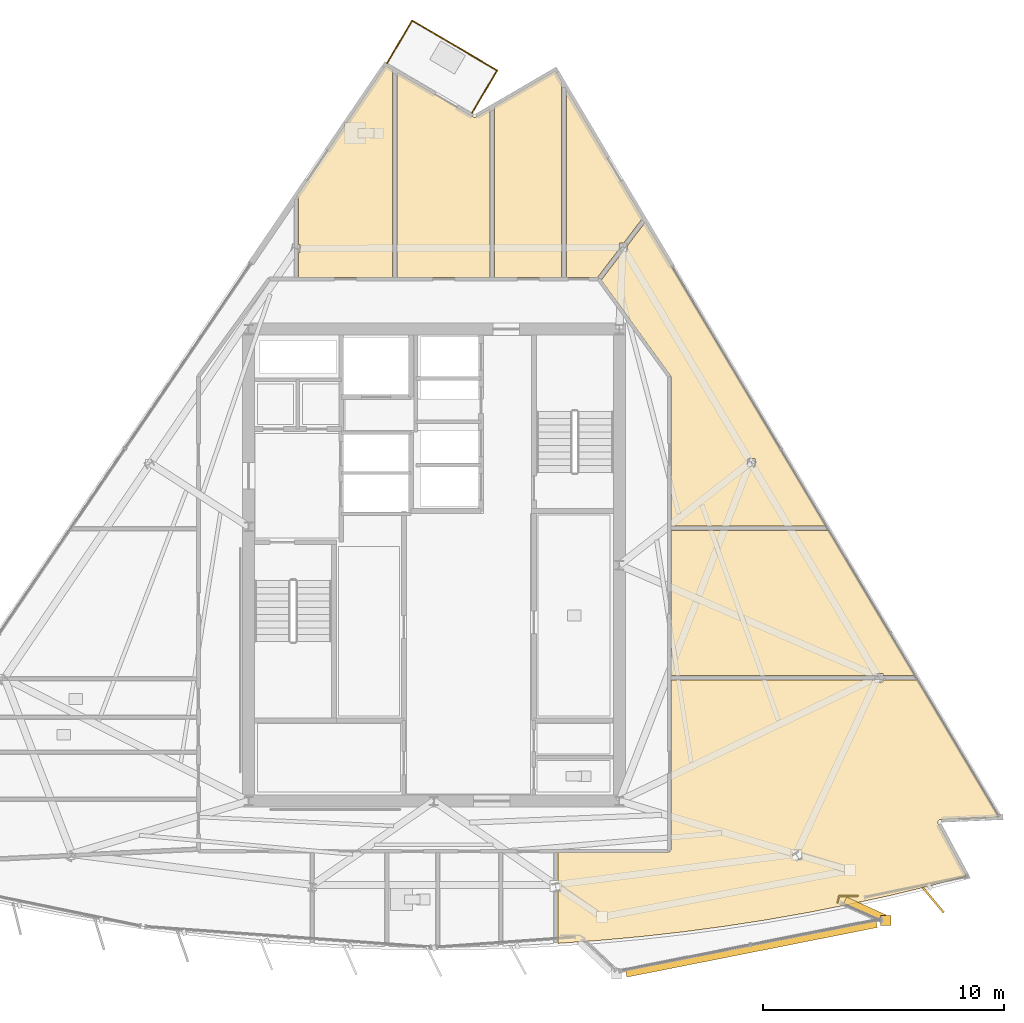
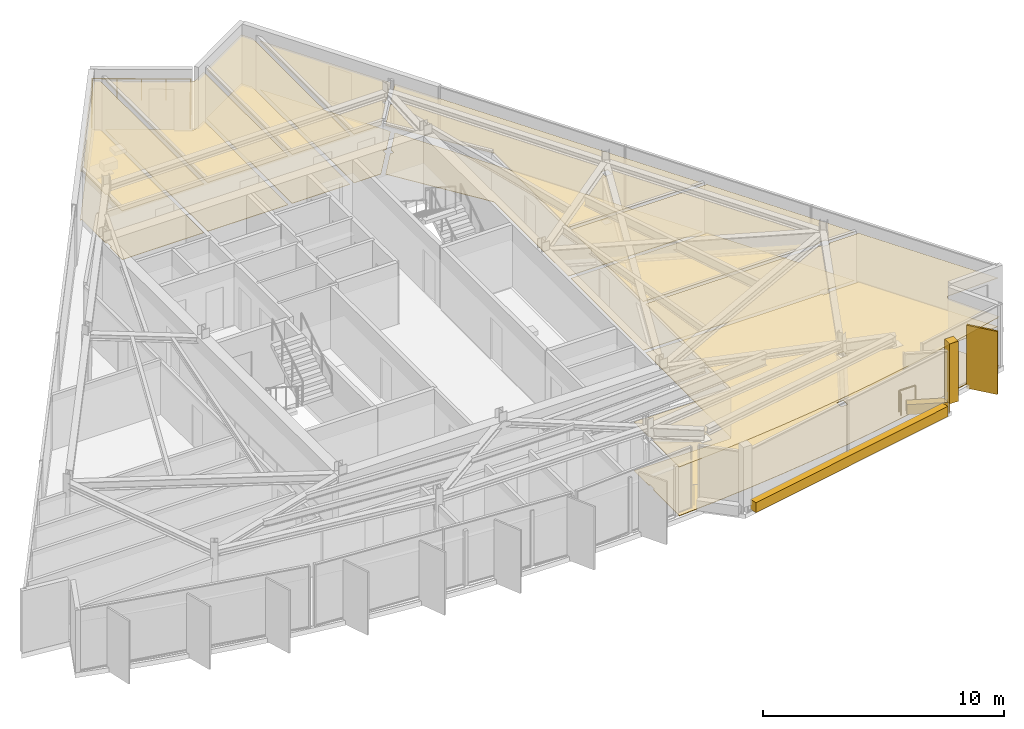
# One storey, part 12 of 13: 17 coverings, 4 railings, 1 shading device.
"""IFC4 building model written with IfcOpenShell, lengths in metres."""

import ifcopenshell
import ifcopenshell.guid

model = None  # the IFC model being written
_history = None  # IfcOwnerHistory: only IFC2X3 demands one
_inside = {}  # id of a spatial element -> (the spatial element, [elements in it])
_under = {}  # id of a project, library or spatial element -> (it, [spatial elements below it])
_declared = {}  # id of a project -> (the project, [libraries it declares])
_typed = {}  # id of a type object -> (the type object, [elements of that type])
_made_of = {}  # id of a material, layer set ... -> (it, [elements and type objects made of it])


def new_model(schema):
    """Start an empty IFC model of exactly this schema.

    Asked for "IFC4X3", IfcOpenShell would pick the latest addendum, in which some entities
    have other attributes; the version numbers below select the first issue.
    IFC2X3 requires an IfcOwnerHistory on every rooted entity: one is made here for all.
    """
    global model, _history
    if schema == "IFC4X3":
        model = ifcopenshell.file(schema_version=(4, 3, 0, 0))
    else:
        model = ifcopenshell.file(schema=schema)
    _inside.clear()
    _under.clear()
    _declared.clear()
    _typed.clear()
    _made_of.clear()
    _history = None
    if model.schema == "IFC2X3":
        org = make("IfcOrganization", Name="unknown")
        user = make(
            "IfcPersonAndOrganization",
            ThePerson=make("IfcPerson", FamilyName="unknown"),
            TheOrganization=org,
        )
        app = make(
            "IfcApplication",
            ApplicationDeveloper=org,
            Version="unknown",
            ApplicationFullName="unknown",
            ApplicationIdentifier="unknown",
        )
        _history = make(
            "IfcOwnerHistory",
            OwningUser=user,
            OwningApplication=app,
            ChangeAction="ADDED",
            CreationDate=0,
        )
    return model


def make(cls, **values):
    """One entity of the class cls with the attributes given. An attribute that is None is left unset."""
    return model.create_entity(
        cls, **{name: value for name, value in values.items() if value is not None}
    )


def rooted(cls, **values):
    """An entity with a GlobalId (a new one), such as an element, a storey or a relation."""
    return make(cls, GlobalId=ifcopenshell.guid.new(), OwnerHistory=_history, **values)


def si_unit(unit_type, name, prefix=None):
    """IfcSIUnit, for example si_unit("LENGTHUNIT", "METRE", prefix="MILLI")."""
    return make("IfcSIUnit", UnitType=unit_type, Prefix=prefix, Name=name)


def assignment(units):
    """IfcUnitAssignment: the units of a project."""
    return None if units is None else make("IfcUnitAssignment", Units=units)


def point(xyz):
    """IfcCartesianPoint."""
    return None if xyz is None else make("IfcCartesianPoint", Coordinates=xyz)


def direction(xyz):
    """IfcDirection."""
    return None if xyz is None else make("IfcDirection", DirectionRatios=xyz)


def frame(location, z_axis=None, x_axis=None):
    """IfcAxis2Placement3D, a coordinate frame: its origin and axes. An axis left out is left unset."""
    return make(
        "IfcAxis2Placement3D",
        Location=point(location),
        Axis=direction(z_axis),
        RefDirection=direction(x_axis),
    )


def frame_2d(location, x_axis=None):
    """IfcAxis2Placement2D, a coordinate frame in the plane: its origin and x axis."""
    return make(
        "IfcAxis2Placement2D", Location=point(location), RefDirection=direction(x_axis)
    )


def origin():
    """The frame at (0, 0, 0) with its axes left unset."""
    return frame((0.0, 0.0, 0.0))


def origin_2d():
    """The frame at (0, 0) in the plane with its x axis left unset."""
    return frame_2d((0.0, 0.0))


def place(relative_to, where):
    """IfcLocalPlacement: puts the frame where relative to a parent placement (None: the world)."""
    return make(
        "IfcLocalPlacement", PlacementRelTo=relative_to, RelativePlacement=where
    )


def context(
    kind, dimensions, precision=None, world=None, true_north=None, identifier=None
):
    """IfcGeometricRepresentationContext, for example the 3D "Model" context."""
    return make(
        "IfcGeometricRepresentationContext",
        ContextIdentifier=identifier,
        ContextType=kind,
        CoordinateSpaceDimension=dimensions,
        Precision=precision,
        WorldCoordinateSystem=world,
        TrueNorth=true_north,
    )


def subcontext(parent, identifier, kind, view, scale=None):
    """IfcGeometricRepresentationSubContext, for example "Body" below "Model"."""
    return make(
        "IfcGeometricRepresentationSubContext",
        ContextIdentifier=identifier,
        ContextType=kind,
        ParentContext=parent,
        TargetScale=scale,
        TargetView=view,
    )


def project(units=None, contexts=None):
    """IfcProject with its units and contexts."""
    return rooted(
        "IfcProject",
        Name="project",
        RepresentationContexts=contexts,
        UnitsInContext=assignment(units),
    )


def spatial(cls, under=None, at=None, **own):
    """A site, building, storey or space (cls), placed at a placement, below another one or the project."""
    s = rooted(cls, ObjectPlacement=at, **own)
    if under is not None:
        _under.setdefault(under.id(), (under, []))[1].append(s)
    return s


def polyline(points):
    """IfcPolyline through the points."""
    return make("IfcPolyline", Points=[point(p) for p in points])


def profile(cls, at=None, kind="AREA", **sizes):
    """A parametric profile (cls). Its sizes go by their IFC names, for example OverallWidth=200.0."""
    return make(cls, ProfileType=kind, Position=at, **sizes)


def rectangle(**sizes):
    """IfcRectangleProfileDef."""
    return profile("IfcRectangleProfileDef", **sizes)


def circle(**sizes):
    """IfcCircleProfileDef."""
    return profile("IfcCircleProfileDef", **sizes)


def outline(outer, holes=None, kind="AREA"):
    """IfcArbitraryClosedProfileDef: a profile drawn as a closed curve; with holes, ...WithVoids."""
    if holes is None:
        return make("IfcArbitraryClosedProfileDef", ProfileType=kind, OuterCurve=outer)
    return make(
        "IfcArbitraryProfileDefWithVoids",
        ProfileType=kind,
        OuterCurve=outer,
        InnerCurves=holes,
    )


def extrude(swept, where, along, depth):
    """IfcExtrudedAreaSolid: the profile swept, set in the frame where, extruded along a direction by depth."""
    return make(
        "IfcExtrudedAreaSolid",
        SweptArea=swept,
        Position=where,
        ExtrudedDirection=direction(along),
        Depth=depth,
    )


def shape(context_of_items, identifier, shape_type, items):
    """IfcShapeRepresentation: the items that make up one representation, for example the "Body"."""
    return make(
        "IfcShapeRepresentation",
        ContextOfItems=context_of_items,
        RepresentationIdentifier=identifier,
        RepresentationType=shape_type,
        Items=items,
    )


def material(Name=None, Category=None):
    """IfcMaterial."""
    return make("IfcMaterial", Name=Name, Category=Category)


def layer(
    of_material, thickness, ventilated=None, Name=None, Category=None, Priority=None
):
    """IfcMaterialLayer: one layer of a wall or slab, of a material (None: an air gap)."""
    return make(
        "IfcMaterialLayer",
        Material=of_material,
        LayerThickness=thickness,
        IsVentilated=ventilated,
        Name=Name,
        Category=Category,
        Priority=Priority,
    )


def layer_set(layers, Name=None):
    """IfcMaterialLayerSet."""
    return make("IfcMaterialLayerSet", MaterialLayers=layers, LayerSetName=Name)


def made_of(thing, what):
    """Note that an element or type object is made of a material, layer set ...; save() writes the relation."""
    if what is not None:
        _made_of.setdefault(what.id(), (what, []))[1].append(thing)
    return thing


def type_object(cls, material=None, **own):
    """A type object (cls), such as IfcWallType, which elements share."""
    return made_of(rooted(cls, **own), material)


def element(
    cls,
    number,
    at=None,
    inside=None,
    cuts=None,
    type_object=None,
    material=None,
    context=None,
    identifier="Body",
    shape_type=None,
    held_by="IfcProductDefinitionShape",
    body=None,
    shapes=None,
    **own,
):
    """One element of the class cls, such as IfcWall. Its Tag is "e" and its number.

    at: its placement. inside: the storey or other place that contains it. cuts: it is an
    opening in that element (IfcRelVoidsElement). A single representation is given by context,
    identifier, shape_type and body (its items); several are given by shapes. held_by: the class
    of the entity that holds the representations. save() writes the other relations.
    """
    e = rooted(cls, Tag="e%d" % number, ObjectPlacement=at, **own)
    if body is not None:
        shapes = [shape(context, identifier, shape_type, body)]
    if shapes is not None:
        e.Representation = make(held_by, Representations=shapes)
    if inside is not None:
        _inside.setdefault(inside.id(), (inside, []))[1].append(e)
    if cuts is not None:
        rooted(
            "IfcRelVoidsElement", RelatingBuildingElement=cuts, RelatedOpeningElement=e
        )
    if type_object is not None:
        _typed.setdefault(type_object.id(), (type_object, []))[1].append(e)
    return made_of(e, material)


def aggregate(whole, parts):
    """IfcRelAggregates: a whole, such as a stair, and the parts it consists of."""
    return rooted("IfcRelAggregates", RelatingObject=whole, RelatedObjects=parts)


def save(model, path):
    """Write the relations noted so far, then the file.

    IfcRelAggregates (storeys below a building ...), IfcRelContainedInSpatialStructure (elements
    in a storey), IfcRelDefinesByType, IfcRelAssociatesMaterial and IfcRelDeclares: one each for
    every whole, place, type object, material and project.
    """
    for whole, parts in _under.values():
        aggregate(whole, parts)
    for where, things in _inside.values():
        rooted(
            "IfcRelContainedInSpatialStructure",
            RelatedElements=things,
            RelatingStructure=where,
        )
    for kind, things in _typed.values():
        rooted("IfcRelDefinesByType", RelatedObjects=things, RelatingType=kind)
    for what, things in _made_of.values():
        rooted("IfcRelAssociatesMaterial", RelatedObjects=things, RelatingMaterial=what)
    for by, libraries in _declared.values():
        rooted("IfcRelDeclares", RelatingContext=by, RelatedDefinitions=libraries)
    model.write(path)


model = new_model("IFC4")

# Units and contexts
model_context = context("Model", 3, precision=1e-05, world=origin(), true_north=direction((0.0, 1.0)))
body_context = subcontext(model_context, "Body", "Model", "MODEL_VIEW")
ifc_project = project(units=[si_unit("LENGTHUNIT", "METRE"), si_unit("AREAUNIT", "SQUARE_METRE"), si_unit("VOLUMEUNIT", "CUBIC_METRE"), si_unit("PLANEANGLEUNIT", "RADIAN"), si_unit("MASSUNIT", "GRAM", prefix="KILO")], contexts=[model_context])

# Site, building, storey
site_placement = place(None, origin())
site = spatial("IfcSite", under=ifc_project, at=site_placement, CompositionType="ELEMENT")
building_placement = place(site_placement, origin())
building = spatial("IfcBuilding", under=site, at=building_placement, Name="Savorim Split Tower", CompositionType="ELEMENT")
storey_placement = place(building_placement, frame((0.0, 0.0, 290.39990234375)))
storey = spatial("IfcBuildingStorey", under=building, at=storey_placement, Name="L77", CompositionType="ELEMENT", Elevation=290.39990234375)

# Coverings
ifc_material_1 = material(Name="Mineral Fibre Acoustic Ceiling")
ifc_layer_1 = layer(ifc_material_1, 0.02490234375)
ifc_layer_set_1 = layer_set([ifc_layer_1], Name="COV-CEIL-25")
covering_type_1 = type_object("IfcCoveringType", Name="COV-CEIL-25", PredefinedType="CEILING", material=ifc_layer_set_1)
covering_1_placement = place(storey_placement, frame((0.0, 0.0, 2.47021484375)))
element("IfcCovering", 1, at=covering_1_placement, inside=storey, type_object=covering_type_1, Name="L77 Maker Workshop Acoustic Ceiling", PredefinedType="CEILING", context=body_context, shape_type="SweptSolid", body=[
    extrude(outline(polyline([(21.022705078125, -10.172119140625), (21.033935546875, -10.169921875), (21.04541015625, -10.168701171875), (23.469970703125, -10.065673828125), (20.065673828125, -4.3408203125), (20.065673828125, -4.373779296875), (18.656982421875, -4.373779296875), (18.656982421875, -4.45361328125), (18.328125, -4.45361328125), (18.328125, -4.373779296875), (9.840087890625, -4.373779296875), (9.840087890625, -11.39990234375), (9.83935546875, -11.413818359375), (9.83740234375, -11.42724609375), (9.833984375, -11.440673828125), (9.829345703125, -11.45361328125), (9.823486328125, -11.466064453125), (9.81640625, -11.477783203125), (9.80810546875, -11.48876953125), (9.799072265625, -11.4990234375), (9.788818359375, -11.50830078125), (9.77783203125, -11.516357421875), (9.76611328125, -11.5234375), (9.753662109375, -11.529296875), (9.740478515625, -11.533935546875), (9.727294921875, -11.537353515625), (9.713623046875, -11.539306640625), (9.699951171875, -11.5400390625), (5.147216796875, -11.5400390625), (5.147216796875, -12.7734375), (5.216796875, -12.7734375), (5.216796875, -13.123291015625), (5.147216796875, -13.123291015625), (5.147216796875, -15.266845703125), (5.147216796875, -15.31201171875), (5.1953125, -15.3095703125), (6.923583984375, -15.185546875), (8.649169921875, -15.026123046875), (10.37109375, -14.83154296875), (12.088623046875, -14.601806640625), (13.801025390625, -14.3369140625), (15.5078125, -14.036865234375), (17.2080078125, -13.7021484375), (18.90087890625, -13.332763671875), (20.5859375, -12.9287109375), (22.1162109375, -12.528564453125), (20.94482421875, -10.345458984375), (20.93994140625, -10.3349609375), (20.93603515625, -10.32421875), (20.93310546875, -10.31298828125), (20.931396484375, -10.301513671875), (20.9306640625, -10.2900390625), (20.930908203125, -10.278564453125), (20.9326171875, -10.26708984375), (20.935302734375, -10.255859375), (20.93896484375, -10.244873046875), (20.943603515625, -10.234375), (20.94921875, -10.224365234375), (20.9560546875, -10.21484375), (20.96337890625, -10.206298828125), (20.9716796875, -10.1982421875), (20.98095703125, -10.19091796875), (20.990478515625, -10.184814453125), (21.0009765625, -10.179443359375), (21.01171875, -10.17529296875), (21.022705078125, -10.172119140625)]), holes=[polyline([(15.23876953125, -11.836669921875), (15.23876953125, -11.486572265625), (14.90966796875, -11.486572265625), (14.90966796875, -11.836669921875), (15.23876953125, -11.836669921875)])]), origin(), (0.0, 0.0, 1.0), 0.02490234375),
])
covering_2_placement = place(storey_placement, frame((0.0, 0.0, 2.47021484375)))
element("IfcCovering", 2, at=covering_2_placement, inside=storey, type_object=covering_type_1, Name="L77 Maker Workshop Acoustic Ceiling", PredefinedType="CEILING", context=body_context, shape_type="SweptSolid", body=[
    extrude(outline(polyline([(18.656982421875, -4.103759765625), (18.656982421875, -4.18359375), (19.970703125, -4.18359375), (19.972412109375, -4.18359375), (16.390380859375, 1.840087890625), (9.840087890625, 1.840087890625), (9.840087890625, -4.18359375), (18.328125, -4.18359375), (18.328125, -4.103759765625), (18.656982421875, -4.103759765625)])), origin(), (0.0, 0.0, 1.0), 0.02490234375),
])
covering_3_placement = place(storey_placement, frame((0.0, 0.0, 2.47021484375)))
element("IfcCovering", 3, at=covering_3_placement, inside=storey, type_object=covering_type_1, Name="L77 Co-Working Commons Acoustic Ceiling", PredefinedType="CEILING", context=body_context, shape_type="SweptSolid", body=[
    extrude(outline(polyline([(9.8369140625, 8.22900390625), (9.839111328125, 8.214599609375), (9.840087890625, 8.199951171875), (9.840087890625, 2.030029296875), (16.277587890625, 2.030029296875), (8.77880859375, 14.640869140625), (8.0283203125, 13.65478515625), (8.0283203125, 13.420654296875), (7.85009765625, 13.420654296875), (6.96142578125, 12.2529296875), (6.947509765625, 12.23486328125), (9.813232421875, 8.2822265625), (9.8212890625, 8.27001953125), (9.827880859375, 8.2568359375), (9.833251953125, 8.2431640625), (9.8369140625, 8.22900390625)]), holes=[polyline([(13.3427734375, 4.4833984375), (13.3427734375, 4.83349609375), (13.013671875, 4.83349609375), (13.013671875, 4.4833984375), (13.3427734375, 4.4833984375)])]), origin(), (0.0, 0.0, 1.0), 0.02490234375),
])
covering_4_placement = place(storey_placement, frame((0.0, 0.0, 2.47021484375)))
element("IfcCovering", 4, at=covering_4_placement, inside=storey, type_object=covering_type_1, Name="L77 Quiet Study Room Acoustic Ceiling", PredefinedType="CEILING", context=body_context, shape_type="SweptSolid", body=[
    extrude(outline(polyline([(7.877685546875, 13.7705078125), (8.6181640625, 14.743408203125), (8.674072265625, 14.81689453125), (5.49560546875, 20.16259765625), (5.49560546875, 12.340087890625), (6.788818359375, 12.340087890625), (7.699462890625, 13.536376953125), (7.699462890625, 13.7705078125), (7.877685546875, 13.7705078125)])), origin(), (0.0, 0.0, 1.0), 0.02490234375),
])
covering_5_placement = place(storey_placement, frame((0.0, 0.0, 2.47021484375)))
element("IfcCovering", 5, at=covering_5_placement, inside=storey, type_object=covering_type_1, Name="L77 Quiet Study Room Acoustic Ceiling", PredefinedType="CEILING", context=body_context, shape_type="SweptSolid", body=[
    extrude(outline(polyline([(5.305419921875, 12.340087890625), (5.305419921875, 20.482177734375), (5.039794921875, 20.92919921875), (2.523193359375, 19.46240234375), (2.523193359375, 12.340087890625), (5.305419921875, 12.340087890625)])), origin(), (0.0, 0.0, 1.0), 0.02490234375),
])
covering_6_placement = place(storey_placement, frame((0.0, 0.0, 2.47021484375)))
element("IfcCovering", 6, at=covering_6_placement, inside=storey, type_object=covering_type_1, Name="L77 Quiet Study Room Acoustic Ceiling", PredefinedType="CEILING", context=body_context, shape_type="SweptSolid", body=[
    extrude(outline(polyline([(1.64794921875, 19.00146484375), (1.63720703125, 19.005859375), (1.626953125, 19.010986328125), (-1.52587890625, 20.864013671875), (-1.52587890625, 12.340087890625), (2.3330078125, 12.340087890625), (2.3330078125, 19.351806640625), (1.748291015625, 19.010986328125), (1.738037109375, 19.005615234375), (1.727294921875, 19.001220703125), (1.71630859375, 18.998046875), (1.704833984375, 18.995849609375), (1.693359375, 18.99462890625), (1.681884765625, 18.99462890625), (1.67041015625, 18.995849609375), (1.658935546875, 18.998046875), (1.64794921875, 19.00146484375)])), origin(), (0.0, 0.0, 1.0), 0.02490234375),
])
covering_7_placement = place(storey_placement, frame((0.0, 0.0, 2.47021484375)))
element("IfcCovering", 7, at=covering_7_placement, inside=storey, type_object=covering_type_1, Name="L77 Shared Bathroom Acoustic Ceiling", PredefinedType="CEILING", context=body_context, shape_type="SweptSolid", body=[
    extrude(outline(polyline([(-5.631103515625, 12.340087890625), (-1.7158203125, 12.340087890625), (-1.7158203125, 20.975830078125), (-2.01171875, 21.149658203125), (-5.721923828125, 15.6953125), (-5.631103515625, 15.6953125), (-5.631103515625, 13.7216796875), (-5.5615234375, 13.7216796875), (-5.5615234375, 13.371826171875), (-5.631103515625, 13.371826171875), (-5.631103515625, 12.340087890625)])), origin(), (0.0, 0.0, 1.0), 0.02490234375),
])
ifc_material_2 = material(Name="Porcelain Stoneware Flooring", Category="masonry")
ifc_layer_2 = layer(ifc_material_2, 0.02001953125)
ifc_layer_set_2 = layer_set([ifc_layer_2], Name="COV-FLOR-20")
covering_type_2 = type_object("IfcCoveringType", Name="COV-FLOR-20", PredefinedType="FLOORING", material=ifc_layer_set_2)
covering_8_placement = place(storey_placement, origin())
element("IfcCovering", 8, at=covering_8_placement, inside=storey, type_object=covering_type_2, Name="L77 Maker Workshop Porcelain Flooring", PredefinedType="FLOORING", context=body_context, shape_type="SweptSolid", body=[
    extrude(outline(polyline([(21.022705078125, -10.172119140625), (21.033935546875, -10.169921875), (21.04541015625, -10.168701171875), (23.469970703125, -10.065673828125), (20.065673828125, -4.3408203125), (20.065673828125, -4.373779296875), (18.656982421875, -4.373779296875), (18.656982421875, -4.45361328125), (18.328125, -4.45361328125), (18.328125, -4.373779296875), (9.840087890625, -4.373779296875), (9.840087890625, -11.39990234375), (9.83935546875, -11.413818359375), (9.83740234375, -11.42724609375), (9.833984375, -11.440673828125), (9.829345703125, -11.45361328125), (9.823486328125, -11.466064453125), (9.81640625, -11.477783203125), (9.80810546875, -11.48876953125), (9.799072265625, -11.4990234375), (9.788818359375, -11.50830078125), (9.77783203125, -11.516357421875), (9.76611328125, -11.5234375), (9.753662109375, -11.529296875), (9.740478515625, -11.533935546875), (9.727294921875, -11.537353515625), (9.713623046875, -11.539306640625), (9.699951171875, -11.5400390625), (5.147216796875, -11.5400390625), (5.147216796875, -12.7734375), (5.216796875, -12.7734375), (5.216796875, -13.123291015625), (5.147216796875, -13.123291015625), (5.147216796875, -15.266845703125), (5.147216796875, -15.31201171875), (5.1953125, -15.3095703125), (6.923583984375, -15.185546875), (8.649169921875, -15.026123046875), (10.37109375, -14.83154296875), (12.088623046875, -14.601806640625), (13.801025390625, -14.3369140625), (15.5078125, -14.036865234375), (17.2080078125, -13.7021484375), (18.90087890625, -13.332763671875), (20.5859375, -12.9287109375), (22.1162109375, -12.528564453125), (20.94482421875, -10.345458984375), (20.93994140625, -10.3349609375), (20.93603515625, -10.32421875), (20.93310546875, -10.31298828125), (20.931396484375, -10.301513671875), (20.9306640625, -10.2900390625), (20.930908203125, -10.278564453125), (20.9326171875, -10.26708984375), (20.935302734375, -10.255859375), (20.93896484375, -10.244873046875), (20.943603515625, -10.234375), (20.94921875, -10.224365234375), (20.9560546875, -10.21484375), (20.96337890625, -10.206298828125), (20.9716796875, -10.1982421875), (20.98095703125, -10.19091796875), (20.990478515625, -10.184814453125), (21.0009765625, -10.179443359375), (21.01171875, -10.17529296875), (21.022705078125, -10.172119140625)]), holes=[polyline([(15.23876953125, -11.836669921875), (15.23876953125, -11.486572265625), (14.90966796875, -11.486572265625), (14.90966796875, -11.836669921875), (15.23876953125, -11.836669921875)])]), origin(), (0.0, 0.0, 1.0), 0.02001953125),
])
covering_9_placement = place(storey_placement, origin())
element("IfcCovering", 9, at=covering_9_placement, inside=storey, type_object=covering_type_2, Name="L77 Maker Workshop Porcelain Flooring", PredefinedType="FLOORING", context=body_context, shape_type="SweptSolid", body=[
    extrude(outline(polyline([(18.656982421875, -4.103759765625), (18.656982421875, -4.18359375), (19.970703125, -4.18359375), (19.972412109375, -4.18359375), (16.390380859375, 1.840087890625), (9.840087890625, 1.840087890625), (9.840087890625, -4.18359375), (18.328125, -4.18359375), (18.328125, -4.103759765625), (18.656982421875, -4.103759765625)])), origin(), (0.0, 0.0, 1.0), 0.02001953125),
])
covering_10_placement = place(storey_placement, origin())
element("IfcCovering", 10, at=covering_10_placement, inside=storey, type_object=covering_type_2, Name="L77 Co-Working Commons Porcelain Flooring", PredefinedType="FLOORING", context=body_context, shape_type="SweptSolid", body=[
    extrude(outline(polyline([(9.8369140625, 8.22900390625), (9.839111328125, 8.214599609375), (9.840087890625, 8.199951171875), (9.840087890625, 2.030029296875), (16.277587890625, 2.030029296875), (8.77880859375, 14.640869140625), (8.0283203125, 13.65478515625), (8.0283203125, 13.420654296875), (7.85009765625, 13.420654296875), (6.96142578125, 12.2529296875), (6.947509765625, 12.23486328125), (9.813232421875, 8.2822265625), (9.8212890625, 8.27001953125), (9.827880859375, 8.2568359375), (9.833251953125, 8.2431640625), (9.8369140625, 8.22900390625)]), holes=[polyline([(13.3427734375, 4.4833984375), (13.3427734375, 4.83349609375), (13.013671875, 4.83349609375), (13.013671875, 4.4833984375), (13.3427734375, 4.4833984375)])]), origin(), (0.0, 0.0, 1.0), 0.02001953125),
])
covering_11_placement = place(storey_placement, origin())
element("IfcCovering", 11, at=covering_11_placement, inside=storey, type_object=covering_type_2, Name="L77 Quiet Study Room Porcelain Flooring", PredefinedType="FLOORING", context=body_context, shape_type="SweptSolid", body=[
    extrude(outline(polyline([(7.877685546875, 13.7705078125), (8.6181640625, 14.743408203125), (8.674072265625, 14.81689453125), (5.49560546875, 20.16259765625), (5.49560546875, 12.340087890625), (6.788818359375, 12.340087890625), (7.699462890625, 13.536376953125), (7.699462890625, 13.7705078125), (7.877685546875, 13.7705078125)])), origin(), (0.0, 0.0, 1.0), 0.02001953125),
])
covering_12_placement = place(storey_placement, origin())
element("IfcCovering", 12, at=covering_12_placement, inside=storey, type_object=covering_type_2, Name="L77 Quiet Study Room Porcelain Flooring", PredefinedType="FLOORING", context=body_context, shape_type="SweptSolid", body=[
    extrude(outline(polyline([(5.305419921875, 12.340087890625), (5.305419921875, 20.482177734375), (5.039794921875, 20.92919921875), (2.523193359375, 19.46240234375), (2.523193359375, 12.340087890625), (5.305419921875, 12.340087890625)])), origin(), (0.0, 0.0, 1.0), 0.02001953125),
])
covering_13_placement = place(storey_placement, origin())
element("IfcCovering", 13, at=covering_13_placement, inside=storey, type_object=covering_type_2, Name="L77 Quiet Study Room Porcelain Flooring", PredefinedType="FLOORING", context=body_context, shape_type="SweptSolid", body=[
    extrude(outline(polyline([(1.64794921875, 19.00146484375), (1.63720703125, 19.005859375), (1.626953125, 19.010986328125), (-1.52587890625, 20.864013671875), (-1.52587890625, 12.340087890625), (2.3330078125, 12.340087890625), (2.3330078125, 19.351806640625), (1.748291015625, 19.010986328125), (1.738037109375, 19.005615234375), (1.727294921875, 19.001220703125), (1.71630859375, 18.998046875), (1.704833984375, 18.995849609375), (1.693359375, 18.99462890625), (1.681884765625, 18.99462890625), (1.67041015625, 18.995849609375), (1.658935546875, 18.998046875), (1.64794921875, 19.00146484375)])), origin(), (0.0, 0.0, 1.0), 0.02001953125),
])
covering_14_placement = place(storey_placement, origin())
element("IfcCovering", 14, at=covering_14_placement, inside=storey, type_object=covering_type_2, Name="L77 Shared Bathroom Porcelain Flooring", PredefinedType="FLOORING", context=body_context, shape_type="SweptSolid", body=[
    extrude(outline(polyline([(-5.631103515625, 12.340087890625), (-1.7158203125, 12.340087890625), (-1.7158203125, 20.975830078125), (-2.01171875, 21.149658203125), (-5.721923828125, 15.6953125), (-5.631103515625, 15.6953125), (-5.631103515625, 13.7216796875), (-5.5615234375, 13.7216796875), (-5.5615234375, 13.371826171875), (-5.631103515625, 13.371826171875), (-5.631103515625, 12.340087890625)])), origin(), (0.0, 0.0, 1.0), 0.02001953125),
])
ifc_material_3 = material(Name="White Porcelain Architectural Cladding")
ifc_layer_3 = layer(ifc_material_3, 0.139892578125)
ifc_layer_set_3 = layer_set([ifc_layer_3], Name="COV-FRM-WHITE")
covering_type_3 = type_object("IfcCoveringType", Name="COV-FRM-WHITE", PredefinedType="CLADDING", material=ifc_layer_set_3)
covering_15_placement = place(storey_placement, frame((0.0, 0.0, 0.010009765625)))
element("IfcCovering", 15, at=covering_15_placement, inside=storey, type_object=covering_type_3, Name="L77 Cantilevered Lounge White Lower Frame Band F", PredefinedType="CLADDING", context=body_context, shape_type="SweptSolid", body=[
    extrude(outline(polyline([(8.013916015625, -16.717529296875), (18.414306640625, -14.655517578125), (18.34814453125, -14.322021484375), (7.94775390625, -16.384033203125), (8.013916015625, -16.717529296875)])), origin(), (0.0, 0.0, 1.0), 0.510009765625),
])
covering_16_placement = place(storey_placement, frame((0.0, 0.0, 0.010009765625)))
element("IfcCovering", 16, at=covering_16_placement, inside=storey, type_object=covering_type_3, Name="L77 Cantilevered Lounge White Lower Frame Band E", PredefinedType="CLADDING", context=body_context, shape_type="SweptSolid", body=[
    extrude(outline(polyline([(18.78076171875, -14.12841796875), (17.138427734375, -13.391845703125), (16.999267578125, -13.701904296875), (18.6416015625, -14.438720703125), (18.78076171875, -14.12841796875)])), origin(), (0.0, 0.0, 1.0), 0.510009765625),
])
covering_17_placement = place(storey_placement, frame((0.0, 0.0, 0.5400390625)))
element("IfcCovering", 17, at=covering_17_placement, inside=storey, type_object=covering_type_3, Name="L77 Cantilevered Lounge White Frame Corner Post 2", PredefinedType="CLADDING", context=body_context, shape_type="SweptSolid", body=[
    extrude(outline(polyline([(18.5537109375, -14.572021484375), (18.973876953125, -14.572021484375), (18.973876953125, -14.15185546875), (18.5537109375, -14.15185546875), (18.5537109375, -14.572021484375)])), origin(), (0.0, 0.0, 1.0), 3.050048828125),
])

# Railings
ifc_material_4 = material(Name="Galvanised Painted Steel Balustrade", Category="steel")
railing_type = type_object("IfcRailingType", Name="RLG-BAL-1100", PredefinedType="BALUSTRADE", material=ifc_material_4)
railing_1_placement = place(storey_placement, frame((16.761474609375, -13.618408203125, 0.0)))
element("IfcRailing", 18, at=railing_1_placement, inside=storey, type_object=railing_type, Name="L77 Cantilevered Lounge East Edge Closure Guard", PredefinedType="BALUSTRADE", context=body_context, shape_type="SweptSolid", body=[
    extrude(circle(Radius=0.02392578125, at=origin_2d()), frame((0.0, 0.0, 1.076171875), z_axis=(0.240297760194, 0.970699225531, 0.0), x_axis=(-0.970699225531, 0.240297760194, 0.0)), (0.0, 0.0, 1.0), 0.282470703125),
    extrude(circle(Radius=0.02392578125, at=origin_2d()), frame((0.06787109375, 0.274169921875, 1.076171875), z_axis=(1.0, 0.0, 0.0), x_axis=(0.0, 1.0, 0.0)), (0.0, 0.0, 1.0), 0.780029296875),
    extrude(circle(Radius=0.02099609375, at=origin_2d()), origin(), (0.0, 0.0, 1.0), 1.052001953125),
    extrude(circle(Radius=0.02099609375, at=origin_2d()), frame((0.06787109375, 0.274169921875, 0.0)), (0.0, 0.0, 1.0), 1.052001953125),
    extrude(circle(Radius=0.02099609375, at=origin_2d()), frame((0.847900390625, 0.274169921875, 0.0)), (0.0, 0.0, 1.0), 1.052001953125),
])
railing_2_placement = place(storey_placement, frame((-1.944091796875, 21.249267578125, 0.0)))
element("IfcRailing", 19, at=railing_2_placement, inside=storey, type_object=railing_type, Name="L77 Tree Balcony Guardrail N-1", PredefinedType="BALUSTRADE", context=body_context, shape_type="SweptSolid", body=[
    extrude(circle(Radius=0.02392578125, at=origin_2d()), frame((0.0, 0.0, 1.076171875), z_axis=(0.50664533146, 0.862154573211, 0.0), x_axis=(-0.862154573211, 0.50664533146, 0.0)), (0.0, 0.0, 1.0), 2.0498046875),
    extrude(circle(Radius=0.02099609375, at=origin_2d()), origin(), (0.0, 0.0, 1.0), 1.052001953125),
    extrude(circle(Radius=0.02099609375, at=origin_2d()), frame((0.519287109375, 0.8837890625, 0.0)), (0.0, 0.0, 1.0), 1.052001953125),
    extrude(circle(Radius=0.02099609375, at=origin_2d()), frame((1.03857421875, 1.767333984375, 0.0)), (0.0, 0.0, 1.0), 1.052001953125),
])
railing_3_placement = place(storey_placement, frame((-0.905517578125, 23.0166015625, 0.0)))
element("IfcRailing", 20, at=railing_3_placement, inside=storey, type_object=railing_type, Name="L77 Tree Balcony Guardrail N-2", PredefinedType="BALUSTRADE", context=body_context, shape_type="SweptSolid", body=[
    extrude(circle(Radius=0.02392578125, at=origin_2d()), frame((0.0, 0.0, 1.076171875), z_axis=(0.862136561329, -0.506675980899, 0.0), x_axis=(0.506675980899, 0.862136561329, 0.0)), (0.0, 0.0, 1.0), 4.0927734375),
    extrude(circle(Radius=0.02099609375, at=origin_2d()), origin(), (0.0, 0.0, 1.0), 1.052001953125),
    extrude(circle(Radius=0.02099609375, at=origin_2d()), frame((0.882080078125, -0.5185546875, 0.0)), (0.0, 0.0, 1.0), 1.052001953125),
    extrude(circle(Radius=0.02099609375, at=origin_2d()), frame((1.76416015625, -1.036865234375, 0.0)), (0.0, 0.0, 1.0), 1.052001953125),
    extrude(circle(Radius=0.02099609375, at=origin_2d()), frame((2.646484375, -1.55517578125, 0.0)), (0.0, 0.0, 1.0), 1.052001953125),
    extrude(circle(Radius=0.02099609375, at=origin_2d()), frame((3.528564453125, -2.07373046875, 0.0)), (0.0, 0.0, 1.0), 1.052001953125),
])
railing_4_placement = place(storey_placement, frame((2.623046875, 20.94287109375, 0.0)))
element("IfcRailing", 21, at=railing_4_placement, inside=storey, type_object=railing_type, Name="L77 Tree Balcony Guardrail N-3", PredefinedType="BALUSTRADE", context=body_context, shape_type="SweptSolid", body=[
    extrude(circle(Radius=0.02392578125, at=origin_2d()), frame((0.0, 0.0, 1.076171875), z_axis=(-0.506681829236, -0.862133124246, 0.0), x_axis=(0.862133124246, -0.506681829236, 0.0)), (0.0, 0.0, 1.0), 2.05029296875),
    extrude(circle(Radius=0.02099609375, at=origin_2d()), origin(), (0.0, 0.0, 1.0), 1.052001953125),
    extrude(circle(Radius=0.02099609375, at=origin_2d()), frame((-0.51953125, -0.8837890625, 0.0)), (0.0, 0.0, 1.0), 1.052001953125),
    extrude(circle(Radius=0.02099609375, at=origin_2d()), frame((-1.038818359375, -1.767578125, 0.0)), (0.0, 0.0, 1.0), 1.052001953125),
])

# Shading device
ifc_material_5 = material(Name="Terracotta Ceramic-Coated Aluminium Fin", Category="masonry")
shading_device_type = type_object("IfcShadingDeviceType", Name="SHD-FIN-1360", PredefinedType="USERDEFINED", material=ifc_material_5)
shading_device_placement = place(storey_placement, frame((20.73095703125, -13.5068359375, -0.19970703125), z_axis=(0.0, 0.0, 1.0), x_axis=(0.643719022682, -0.765261928909, 0.0)))
element("IfcShadingDevice", 22, at=shading_device_placement, inside=storey, type_object=shading_device_type, Name="L77 Sawtooth Shading Fin 13", ObjectType="FIN", PredefinedType="USERDEFINED", context=body_context, shape_type="SweptSolid", body=[
    extrude(rectangle(XDim=1.360107421875, YDim=0.080078125, at=origin_2d()), origin(), (0.0, 0.0, 1.0), 3.199951171875),
])

save(model, "model.ifc")
